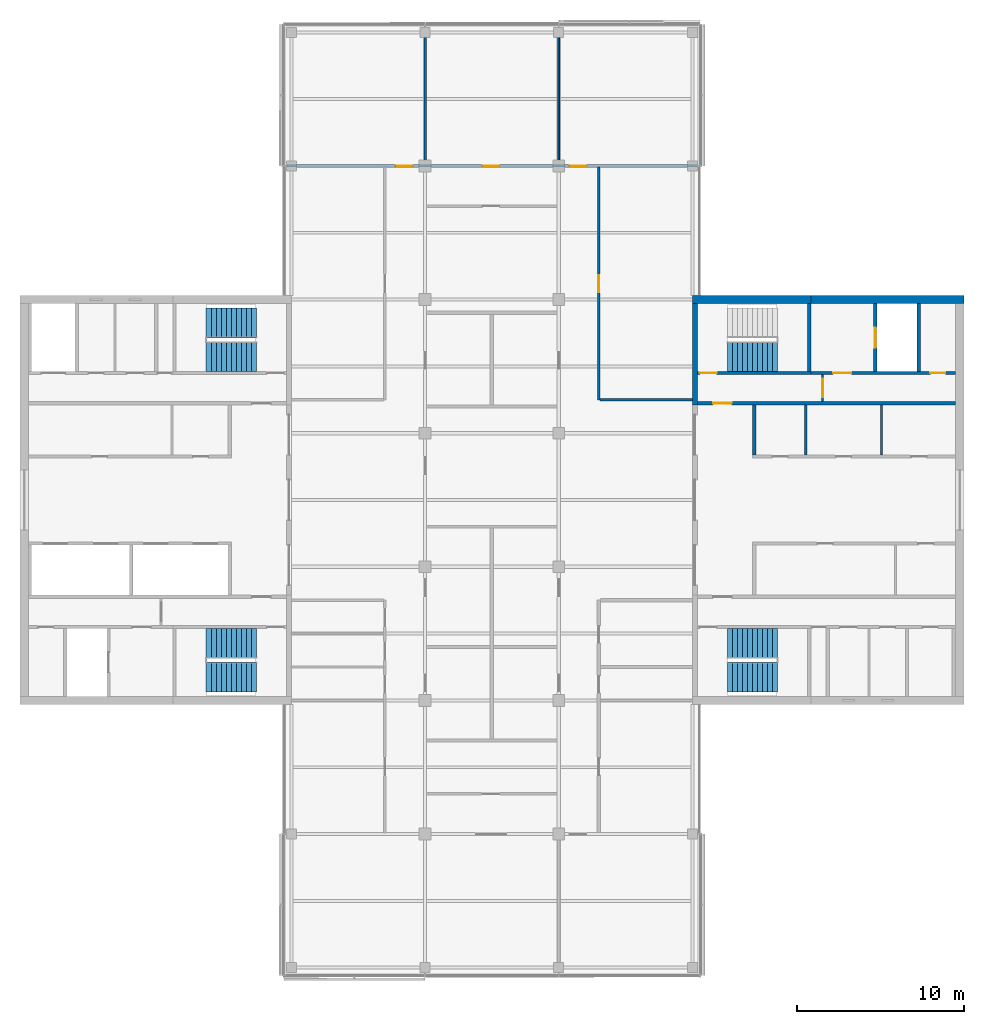
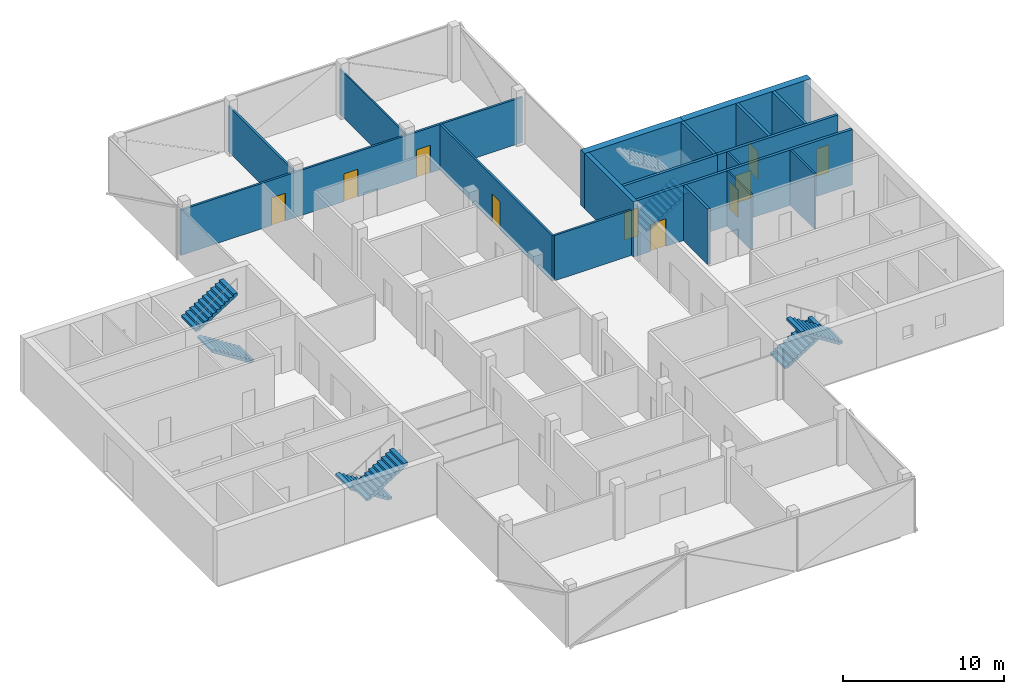
# One storey, part 12 of 16: 18 walls, 10 doors, 7 stair flights, 10 openings, 4 elements without a shape of their own.
"""IFC4 building model written with IfcOpenShell, lengths in metres."""

from ifc_helpers import new_model, si_unit, direction, frame, frame_2d, origin, place, context, subcontext, project, spatial, polyline, rectangle, outline, extrude, material, layer, layer_set, constituent, constituent_set, type_object, element, fill, aggregate, save


model = new_model("IFC4")

# Units and contexts
model_context = context("Model", 3, precision=1e-05, world=origin(), true_north=direction((0.0, 1.0)))
body_context = subcontext(model_context, "Body", "Model", "MODEL_VIEW")
ifc_project = project(units=[si_unit("LENGTHUNIT", "METRE"), si_unit("AREAUNIT", "SQUARE_METRE"), si_unit("VOLUMEUNIT", "CUBIC_METRE"), si_unit("PLANEANGLEUNIT", "RADIAN"), si_unit("MASSUNIT", "GRAM", prefix="KILO")], contexts=[model_context])

# Site, building, storey
site_placement = place(None, origin())
site = spatial("IfcSite", under=ifc_project, at=site_placement, CompositionType="ELEMENT")
building_placement = place(site_placement, origin())
building = spatial("IfcBuilding", under=site, at=building_placement, Name="Crosswind Convention Tower", CompositionType="ELEMENT")
storey_placement = place(building_placement, frame((0.0, 0.0, 282.89990234375)))
storey = spatial("IfcBuildingStorey", under=building, at=storey_placement, Name="L61", CompositionType="ELEMENT", Elevation=282.89990234375)

# Walls
ifc_material_1 = material(Name="Concrete C50/60", Category="concrete")
ifc_layer_1 = layer(ifc_material_1, 0.300048828125)
ifc_layer_set_1 = layer_set([ifc_layer_1], Name="Concrete C50/60")
wall_type_1 = type_object("IfcWallType", Name="Concrete inner core wall 300", PredefinedType="SHEAR", material=ifc_layer_set_1)
wall_1_placement = place(storey_placement, frame((137.14990234375, 105.699951171875, 0.0), z_axis=(0.0, 0.0, 1.0), x_axis=(0.0, 1.0, 0.0)))
element("IfcWall", 1, at=wall_1_placement, inside=storey, type_object=wall_type_1, Name="Wall EP E L61", PredefinedType="SHEAR", context=body_context, shape_type="SweptSolid", body=[
    extrude(rectangle(XDim=6.050048828125, YDim=0.300048828125, at=frame_2d((3.02490234375, 0.0))), origin(), (0.0, 0.0, 1.0), 4.2001953125),
])
ifc_layer_2 = layer(ifc_material_1, 0.199951171875)
ifc_layer_set_2 = layer_set([ifc_layer_2], Name="Concrete C50/60")
wall_type_2 = type_object("IfcWallType", Name="Concrete shaft and stair wall 200", PredefinedType="SHEAR", material=ifc_layer_set_2)
wall_2_placement = place(storey_placement, frame((140.699951171875, 102.699951171875, 0.0), z_axis=(0.0, 0.0, 1.0), x_axis=(0.0, 1.0, 0.0)))
element("IfcWall", 2, at=wall_2_placement, inside=storey, type_object=wall_type_2, Name="Wall RPEND E L61", PredefinedType="SHEAR", context=body_context, shape_type="SweptSolid", body=[
    extrude(rectangle(XDim=3.0, YDim=0.199951171875, at=frame_2d((1.5, 0.0))), origin(), (0.0, 0.0, 1.0), 4.2001953125),
])

# Wall, opening, door
wall_3_placement = place(storey_placement, frame((137.300048828125, 105.800048828125, 0.0), z_axis=(0.0, 0.0, 1.0), x_axis=(1.0, 0.0, 0.0)))
wall_3 = element("IfcWall", 3, at=wall_3_placement, inside=storey, type_object=wall_type_2, Name="Wall HP E L61", PredefinedType="SHEAR", context=body_context, shape_type="SweptSolid", body=[
    extrude(rectangle(XDim=15.449951171875, YDim=0.199951171875, at=frame_2d((7.72509765625, 0.0))), origin(), (0.0, 0.0, 1.0), 4.2001953125),
])
opening_1_placement = place(wall_3_placement, frame((0.949951171875, 0.0, 0.0)))
opening_1 = element("IfcOpeningElement", 4, at=opening_1_placement, cuts=wall_3, Name="Opening D104", PredefinedType="OPENING", context=body_context, shape_type="SweptSolid", body=[
    extrude(rectangle(XDim=1.10009765625, YDim=2.10009765625, at=frame_2d((0.550048828125, 1.050048828125))), frame((0.0, 0.10986328125, 0.0), z_axis=(0.0, -1.0, 0.0), x_axis=(1.0, 0.0, 0.0)), (0.0, 0.0, 1.0), 0.219970703125),
])
ifc_material_2 = material(Name="Steel fire door", Category="steel")
door_type_1 = type_object("IfcDoorType", Name="Fire-rated single door 1100x2100", OperationType="NOTDEFINED", PredefinedType="DOOR", material=ifc_material_2)
door_1_placement = place(opening_1_placement, origin())
door_1 = element("IfcDoor", 5, at=door_1_placement, inside=storey, type_object=door_type_1, Name="Corridor door L61", ObjectType="D104", OperationType="SINGLE_SWING_LEFT", OverallHeight=2.10009765625, OverallWidth=1.10009765625, PredefinedType="DOOR", context=body_context, shape_type="SweptSolid", body=[
    extrude(rectangle(XDim=1.10009765625, YDim=2.10009765625, at=frame_2d((0.550048828125, 1.050048828125))), frame((0.0, 0.02490234375, 0.0), z_axis=(0.0, -1.0, 0.0), x_axis=(1.0, 0.0, 0.0)), (0.0, 0.0, 1.0), 0.050048828125),
])
fill(opening_1, door_1)

# Wall
wall_4_placement = place(storey_placement, frame((144.0, 107.699951171875, 0.0), z_axis=(0.0, 0.0, 1.0), x_axis=(0.0, 1.0, 0.0)))
element("IfcWall", 6, at=wall_4_placement, inside=storey, type_object=wall_type_2, Name="Wall PSE E L61", PredefinedType="SHEAR", context=body_context, shape_type="SweptSolid", body=[
    extrude(rectangle(XDim=4.050048828125, YDim=0.199951171875, at=frame_2d((2.02490234375, 0.0))), origin(), (0.0, 0.0, 1.0), 4.2001953125),
])

# Wall, opening, door
wall_5_placement = place(storey_placement, frame((147.949951171875, 107.699951171875, 0.0), z_axis=(0.0, 0.0, 1.0), x_axis=(0.0, 1.0, 0.0)))
wall_5 = element("IfcWall", 7, at=wall_5_placement, inside=storey, type_object=wall_type_2, Name="Wall PFLW E L61", PredefinedType="SHEAR", context=body_context, shape_type="SweptSolid", body=[
    extrude(rectangle(XDim=4.050048828125, YDim=0.199951171875, at=frame_2d((2.02490234375, 0.0))), origin(), (0.0, 0.0, 1.0), 4.2001953125),
])
opening_2_placement = place(wall_5_placement, frame((1.425048828125, 0.0, 0.0)))
opening_2 = element("IfcOpeningElement", 8, at=opening_2_placement, cuts=wall_5, Name="Opening LD1", PredefinedType="OPENING", context=body_context, shape_type="SweptSolid", body=[
    extrude(rectangle(XDim=1.199951171875, YDim=2.10009765625, at=frame_2d((0.60009765625, 1.050048828125))), frame((0.0, 0.10986328125, 0.0), z_axis=(0.0, -1.0, 0.0), x_axis=(1.0, 0.0, 0.0)), (0.0, 0.0, 1.0), 0.219970703125),
])
ifc_material_3 = material(Name="Stainless steel", Category="steel")
door_type_2 = type_object("IfcDoorType", Name="Lift landing door 1200x2100", OperationType="DOUBLE_DOOR_SLIDING", PredefinedType="DOOR", material=ifc_material_3)
door_2_placement = place(opening_2_placement, origin())
door_2 = element("IfcDoor", 9, at=door_2_placement, inside=storey, type_object=door_type_2, Name="Landing door FF1 L61", ObjectType="LD1", OperationType="DOUBLE_DOOR_SLIDING", OverallHeight=2.10009765625, OverallWidth=1.199951171875, PredefinedType="DOOR", context=body_context, shape_type="SweptSolid", body=[
    extrude(rectangle(XDim=1.199951171875, YDim=2.10009765625, at=frame_2d((0.60009765625, 1.050048828125))), frame((0.0, 0.02490234375, 0.0), z_axis=(0.0, -1.0, 0.0), x_axis=(1.0, 0.0, 0.0)), (0.0, 0.0, 1.0), 0.050048828125),
])
fill(opening_2, door_2)

# Wall
wall_6_placement = place(storey_placement, frame((150.550048828125, 107.699951171875, 0.0), z_axis=(0.0, 0.0, 1.0), x_axis=(0.0, 1.0, 0.0)))
element("IfcWall", 10, at=wall_6_placement, inside=storey, type_object=wall_type_2, Name="Wall PFSE E L61", PredefinedType="SHEAR", context=body_context, shape_type="SweptSolid", body=[
    extrude(rectangle(XDim=4.050048828125, YDim=0.199951171875, at=frame_2d((2.02490234375, 0.0))), origin(), (0.0, 0.0, 1.0), 4.2001953125),
])

# Wall, opening, door
wall_7_placement = place(storey_placement, frame((137.300048828125, 107.60009765625, 0.0), z_axis=(0.0, 0.0, 1.0), x_axis=(1.0, 0.0, 0.0)))
wall_7 = element("IfcWall", 11, at=wall_7_placement, inside=storey, type_object=wall_type_2, Name="Wall PCW E L61", PredefinedType="SHEAR", context=body_context, shape_type="SweptSolid", body=[
    extrude(rectangle(XDim=6.800048828125, YDim=0.199951171875, at=frame_2d((3.39990234375, 0.0))), origin(), (0.0, 0.0, 1.0), 4.2001953125),
])
opening_3_placement = place(wall_7_placement, frame((0.14990234375, 0.0, 0.0)))
opening_3 = element("IfcOpeningElement", 12, at=opening_3_placement, cuts=wall_7, Name="Opening D103", PredefinedType="OPENING", context=body_context, shape_type="SweptSolid", body=[
    extrude(rectangle(XDim=1.0, YDim=2.10009765625, at=frame_2d((0.5, 1.050048828125))), frame((0.0, 0.10986328125, 0.0), z_axis=(0.0, -1.0, 0.0), x_axis=(1.0, 0.0, 0.0)), (0.0, 0.0, 1.0), 0.219970703125),
])
door_type_3 = type_object("IfcDoorType", Name="Fire-rated single door 1000x2100", OperationType="NOTDEFINED", PredefinedType="DOOR", material=ifc_material_2)
door_3_placement = place(opening_3_placement, origin())
door_3 = element("IfcDoor", 13, at=door_3_placement, inside=storey, type_object=door_type_3, Name="Stair ST1 door L61", ObjectType="D103", OperationType="SINGLE_SWING_LEFT", OverallHeight=2.10009765625, OverallWidth=1.0, PredefinedType="DOOR", context=body_context, shape_type="SweptSolid", body=[
    extrude(rectangle(XDim=1.0, YDim=2.10009765625, at=frame_2d((0.5, 1.050048828125))), frame((0.0, 0.02490234375, 0.0), z_axis=(0.0, -1.0, 0.0), x_axis=(1.0, 0.0, 0.0)), (0.0, 0.0, 1.0), 0.050048828125),
])
fill(opening_3, door_3)

# Wall, openings, doors
wall_8_placement = place(storey_placement, frame((144.10009765625, 107.60009765625, 0.0), z_axis=(0.0, 0.0, 1.0), x_axis=(1.0, 0.0, 0.0)))
wall_8 = element("IfcWall", 14, at=wall_8_placement, inside=storey, type_object=wall_type_2, Name="Wall PCX E L61", PredefinedType="SHEAR", context=body_context, shape_type="SweptSolid", body=[
    extrude(rectangle(XDim=8.64990234375, YDim=0.199951171875, at=frame_2d((4.324951171875, 0.0))), origin(), (0.0, 0.0, 1.0), 4.2001953125),
])
opening_4_placement = place(wall_8_placement, frame((1.324951171875, 0.0, 0.0)))
opening_4 = element("IfcOpeningElement", 15, at=opening_4_placement, cuts=wall_8, Name="Opening D104", PredefinedType="OPENING", context=body_context, shape_type="SweptSolid", body=[
    extrude(rectangle(XDim=1.10009765625, YDim=2.10009765625, at=frame_2d((0.550048828125, 1.050048828125))), frame((0.0, 0.10986328125, 0.0), z_axis=(0.0, -1.0, 0.0), x_axis=(1.0, 0.0, 0.0)), (0.0, 0.0, 1.0), 0.219970703125),
])
opening_5_placement = place(wall_8_placement, frame((7.14990234375, 0.0, 0.0)))
opening_5 = element("IfcOpeningElement", 16, at=opening_5_placement, cuts=wall_8, Name="Opening D106", PredefinedType="OPENING", context=body_context, shape_type="SweptSolid", body=[
    extrude(rectangle(XDim=0.89990234375, YDim=2.10009765625, at=frame_2d((0.449951171875, 1.050048828125))), frame((0.0, 0.10986328125, 0.0), z_axis=(0.0, -1.0, 0.0), x_axis=(1.0, 0.0, 0.0)), (0.0, 0.0, 1.0), 0.219970703125),
])
door_4_placement = place(opening_4_placement, origin())
door_4 = element("IfcDoor", 17, at=door_4_placement, inside=storey, type_object=door_type_1, Name="Fire-fighting lobby FF1 door L61", ObjectType="D104", OperationType="SINGLE_SWING_RIGHT", OverallHeight=2.10009765625, OverallWidth=1.10009765625, PredefinedType="DOOR", context=body_context, shape_type="SweptSolid", body=[
    extrude(rectangle(XDim=1.10009765625, YDim=2.10009765625, at=frame_2d((0.550048828125, 1.050048828125))), frame((0.0, 0.02490234375, 0.0), z_axis=(0.0, -1.0, 0.0), x_axis=(1.0, 0.0, 0.0)), (0.0, 0.0, 1.0), 0.050048828125),
])
fill(opening_4, door_4)
ifc_material_4 = material(Name="Timber door", Category="wood")
door_type_4 = type_object("IfcDoorType", Name="Single leaf door 900x2100", OperationType="NOTDEFINED", PredefinedType="DOOR", material=ifc_material_4)
door_5_placement = place(opening_5_placement, origin())
door_5 = element("IfcDoor", 18, at=door_5_placement, inside=storey, type_object=door_type_4, Name="Door to electrical room L61", ObjectType="D106", OperationType="SINGLE_SWING_RIGHT", OverallHeight=2.10009765625, OverallWidth=0.89990234375, PredefinedType="DOOR", context=body_context, shape_type="SweptSolid", body=[
    extrude(rectangle(XDim=0.89990234375, YDim=2.10009765625, at=frame_2d((0.449951171875, 1.050048828125))), frame((0.0, 0.02490234375, 0.0), z_axis=(0.0, -1.0, 0.0), x_axis=(1.0, 0.0, 0.0)), (0.0, 0.0, 1.0), 0.050048828125),
])
fill(opening_5, door_5)

# Walls
ifc_material_5 = material(Name="Gypsum plasterboard partition", Category="gypsum")
ifc_layer_3 = layer(ifc_material_5, 0.125)
ifc_layer_set_3 = layer_set([ifc_layer_3], Name="Drywall partition wall 125")
wall_type_3 = type_object("IfcWallType", Name="Drywall partition wall 125", PredefinedType="PARTITIONING", material=ifc_layer_set_3)
for number, where, z_axis, x_axis, name in (
    (19, (143.78759765625, 102.699951171875, 0.0), (0.0, 0.0, 1.0), (0.0, 1.0, 0.0), "Wall RPP1 E L61"),
    (20, (148.32861328125, 102.699951171875, 0.0), (0.0, 0.0, 1.0), (0.0, 1.0, 0.0), "Wall RPP2 E L61"),
):
    element("IfcWall", number, at=place(storey_placement, frame(where, z_axis=z_axis, x_axis=x_axis)), inside=storey, type_object=wall_type_3, Name=name, PredefinedType="PARTITIONING", context=body_context, shape_type="SweptSolid", body=[
        extrude(rectangle(XDim=3.0, YDim=0.125, at=frame_2d((1.5, 0.0))), origin(), (0.0, 0.0, 1.0), 4.2001953125),
    ])

# Wall, opening, door
wall_9_placement = place(storey_placement, frame((144.800048828125, 105.89990234375, 0.0), z_axis=(0.0, 0.0, 1.0), x_axis=(0.0, 1.0, 0.0)))
wall_9 = element("IfcWall", 21, at=wall_9_placement, inside=storey, type_object=wall_type_3, Name="Wall PXC1 E L61", PredefinedType="PARTITIONING", context=body_context, shape_type="SweptSolid", body=[
    extrude(rectangle(XDim=1.60009765625, YDim=0.125, at=frame_2d((0.800048828125, 0.0))), origin(), (0.0, 0.0, 1.0), 4.2001953125),
])
opening_6_placement = place(wall_9_placement, frame((0.25, 0.0, 0.0)))
opening_6 = element("IfcOpeningElement", 22, at=opening_6_placement, cuts=wall_9, Name="Opening D104", PredefinedType="OPENING", context=body_context, shape_type="SweptSolid", body=[
    extrude(rectangle(XDim=1.10009765625, YDim=2.10009765625, at=frame_2d((0.550048828125, 1.050048828125))), frame((0.0, 0.072509765625, 0.0), z_axis=(0.0, -1.0, 0.0), x_axis=(1.0, 0.0, 0.0)), (0.0, 0.0, 1.0), 0.14501953125),
])
door_6_placement = place(opening_6_placement, origin())
door_6 = element("IfcDoor", 23, at=door_6_placement, inside=storey, type_object=door_type_1, Name="Corridor smoke door L61", ObjectType="D104", OperationType="SINGLE_SWING_RIGHT", OverallHeight=2.10009765625, OverallWidth=1.10009765625, PredefinedType="DOOR", context=body_context, shape_type="SweptSolid", body=[
    extrude(rectangle(XDim=1.10009765625, YDim=2.10009765625, at=frame_2d((0.550048828125, 1.050048828125))), frame((0.0, 0.02490234375, 0.0), z_axis=(0.0, -1.0, 0.0), x_axis=(1.0, 0.0, 0.0)), (0.0, 0.0, 1.0), 0.050048828125),
])
fill(opening_6, door_6)

# Walls
ifc_material_6 = material(Name="Plasterboard partition", Category="gypsum")
ifc_layer_4 = layer(ifc_material_6, 0.10009765625)
ifc_layer_set_4 = layer_set([ifc_layer_4], Name="PARTITION 100 METAL STUD")
wall_type_4 = type_object("IfcWallType", Name="PARTITION 100 METAL STUD", PredefinedType="PARTITIONING", material=ifc_layer_set_4)
wall_10_placement = place(storey_placement, frame((129.0, 120.074951171875, 0.0), z_axis=(0.0, 0.0, 1.0), x_axis=(0.0, 1.0, 0.0)))
element("IfcWall", 24, at=wall_10_placement, inside=storey, type_object=wall_type_4, Name="Partition wall WT40", PredefinedType="PARTITIONING", context=body_context, shape_type="SweptSolid", body=[
    extrude(rectangle(XDim=8.195068359375, YDim=0.10009765625, at=frame_2d((4.09765625, 0.0))), origin(), (0.0, 0.0, 1.0), 3.44287109375),
])
ifc_material_7 = material(Name="Fire-board partition with mineral wool", Category="gypsum")
ifc_layer_5 = layer(ifc_material_7, 0.14990234375)
ifc_layer_set_5 = layer_set([ifc_layer_5], Name="TENANCY WALL 150 TWO-HOUR BOARD")
wall_type_5 = type_object("IfcWallType", Name="TENANCY WALL 150 TWO-HOUR BOARD", PredefinedType="PARTITIONING", material=ifc_layer_set_5)
wall_11_placement = place(storey_placement, frame((121.0, 120.074951171875, 0.0), z_axis=(0.0, 0.0, 1.0), x_axis=(0.0, 1.0, 0.0)))
element("IfcWall", 25, at=wall_11_placement, inside=storey, type_object=wall_type_5, Name="Tenancy wall WT41", PredefinedType="PARTITIONING", context=body_context, shape_type="SweptSolid", body=[
    extrude(rectangle(XDim=8.195068359375, YDim=0.14990234375, at=frame_2d((4.09765625, 0.0))), origin(), (0.0, 0.0, 1.0), 3.44287109375),
])

# Wall, opening, door
wall_12_placement = place(storey_placement, frame((131.39990234375, 106.0, 0.0), z_axis=(0.0, 0.0, 1.0), x_axis=(0.0, 1.0, 0.0)))
wall_12 = element("IfcWall", 26, at=wall_12_placement, inside=storey, type_object=wall_type_5, Name="Tenancy wall WT41", PredefinedType="PARTITIONING", context=body_context, shape_type="SweptSolid", body=[
    extrude(rectangle(XDim=13.925048828125, YDim=0.14990234375, at=frame_2d((6.96240234375, 0.0))), origin(), (0.0, 0.0, 1.0), 3.44287109375),
])
opening_7_placement = place(wall_12_placement, frame((6.449951171875, 0.0, 0.0)))
opening_7 = element("IfcOpeningElement", 27, at=opening_7_placement, cuts=wall_12, Name="Opening L61-50", PredefinedType="OPENING", context=body_context, shape_type="SweptSolid", body=[
    extrude(rectangle(XDim=1.0, YDim=2.10009765625, at=frame_2d((0.5, 1.050048828125))), frame((0.0, 0.0849609375, 0.0), z_axis=(0.0, -1.0, 0.0), x_axis=(1.0, 0.0, 0.0)), (0.0, 0.0, 1.0), 0.169921875),
])
ifc_material_8 = material(Name="Timber fire door", Category="wood")
door_type_5 = type_object("IfcDoorType", Name="TENANCY ENTRANCE DOOR 1000X2100 FD30S", OperationType="NOTDEFINED", PredefinedType="DOOR", material=ifc_material_8)
door_7_placement = place(opening_7_placement, frame((1.0, 0.0, 0.0), z_axis=(0.0, 0.0, 1.0), x_axis=(-1.0, 0.0, 0.0)))
door_7 = element("IfcDoor", 28, at=door_7_placement, inside=storey, type_object=door_type_5, Name="Door L61-50", ObjectType="D41", OperationType="SINGLE_SWING_LEFT", OverallHeight=2.10009765625, OverallWidth=1.0, PredefinedType="DOOR", context=body_context, shape_type="SweptSolid", body=[
    extrude(rectangle(XDim=1.0, YDim=2.10009765625, at=frame_2d((0.5, 1.050048828125))), frame((0.0, 0.02490234375, 0.0), z_axis=(0.0, -1.0, 0.0), x_axis=(1.0, 0.0, 0.0)), (0.0, 0.0, 1.0), 0.050048828125),
])
fill(opening_7, door_7)

# Wall
wall_13_placement = place(storey_placement, frame((131.47509765625, 106.0, 0.0), z_axis=(0.0, 0.0, 1.0), x_axis=(1.0, 0.0, 0.0)))
element("IfcWall", 29, at=wall_13_placement, inside=storey, type_object=wall_type_5, Name="Tenancy wall WT41", PredefinedType="PARTITIONING", context=body_context, shape_type="SweptSolid", body=[
    extrude(rectangle(XDim=5.52490234375, YDim=0.14990234375, at=frame_2d((2.762451171875, 0.0))), origin(), (0.0, 0.0, 1.0), 3.44287109375),
])

# Wall, openings, doors
wall_14_placement = place(storey_placement, frame((112.72998046875, 120.0, 0.0), z_axis=(0.0, 0.0, 1.0), x_axis=(1.0, 0.0, 0.0)))
wall_14 = element("IfcWall", 30, at=wall_14_placement, inside=storey, type_object=wall_type_5, Name="Tenancy wall WT41", PredefinedType="PARTITIONING", context=body_context, shape_type="SweptSolid", body=[
    extrude(rectangle(XDim=24.5400390625, YDim=0.14990234375, at=frame_2d((12.27001953125, 0.0))), origin(), (0.0, 0.0, 1.0), 3.44287109375),
])
opening_8_placement = place(wall_14_placement, frame((6.52001953125, 0.0, 0.0)))
opening_8 = element("IfcOpeningElement", 31, at=opening_8_placement, cuts=wall_14, Name="Opening L61-59", PredefinedType="OPENING", context=body_context, shape_type="SweptSolid", body=[
    extrude(rectangle(XDim=1.0, YDim=2.10009765625, at=frame_2d((0.5, 1.050048828125))), frame((0.0, 0.0849609375, 0.0), z_axis=(0.0, -1.0, 0.0), x_axis=(1.0, 0.0, 0.0)), (0.0, 0.0, 1.0), 0.169921875),
])
opening_9_placement = place(wall_14_placement, frame((11.719970703125, 0.0, 0.0)))
opening_9 = element("IfcOpeningElement", 32, at=opening_9_placement, cuts=wall_14, Name="Opening L61-60", PredefinedType="OPENING", context=body_context, shape_type="SweptSolid", body=[
    extrude(rectangle(XDim=1.0, YDim=2.10009765625, at=frame_2d((0.5, 1.050048828125))), frame((0.0, 0.0849609375, 0.0), z_axis=(0.0, -1.0, 0.0), x_axis=(1.0, 0.0, 0.0)), (0.0, 0.0, 1.0), 0.169921875),
])
opening_10_placement = place(wall_14_placement, frame((16.919921875, 0.0, 0.0)))
opening_10 = element("IfcOpeningElement", 33, at=opening_10_placement, cuts=wall_14, Name="Opening L61-61", PredefinedType="OPENING", context=body_context, shape_type="SweptSolid", body=[
    extrude(rectangle(XDim=1.0, YDim=2.10009765625, at=frame_2d((0.5, 1.050048828125))), frame((0.0, 0.0849609375, 0.0), z_axis=(0.0, -1.0, 0.0), x_axis=(1.0, 0.0, 0.0)), (0.0, 0.0, 1.0), 0.169921875),
])
door_8_placement = place(opening_8_placement, origin())
door_8 = element("IfcDoor", 34, at=door_8_placement, inside=storey, type_object=door_type_5, Name="Door L61-59", ObjectType="D41", OperationType="SINGLE_SWING_RIGHT", OverallHeight=2.10009765625, OverallWidth=1.0, PredefinedType="DOOR", context=body_context, shape_type="SweptSolid", body=[
    extrude(rectangle(XDim=1.0, YDim=2.10009765625, at=frame_2d((0.5, 1.050048828125))), frame((0.0, 0.02490234375, 0.0), z_axis=(0.0, -1.0, 0.0), x_axis=(1.0, 0.0, 0.0)), (0.0, 0.0, 1.0), 0.050048828125),
])
fill(opening_8, door_8)
door_9_placement = place(opening_9_placement, origin())
door_9 = element("IfcDoor", 35, at=door_9_placement, inside=storey, type_object=door_type_5, Name="Door L61-60", ObjectType="D41", OperationType="SINGLE_SWING_LEFT", OverallHeight=2.10009765625, OverallWidth=1.0, PredefinedType="DOOR", context=body_context, shape_type="SweptSolid", body=[
    extrude(rectangle(XDim=1.0, YDim=2.10009765625, at=frame_2d((0.5, 1.050048828125))), frame((0.0, 0.02490234375, 0.0), z_axis=(0.0, -1.0, 0.0), x_axis=(1.0, 0.0, 0.0)), (0.0, 0.0, 1.0), 0.050048828125),
])
fill(opening_9, door_9)
door_10_placement = place(opening_10_placement, origin())
door_10 = element("IfcDoor", 36, at=door_10_placement, inside=storey, type_object=door_type_5, Name="Door L61-61", ObjectType="D41", OperationType="SINGLE_SWING_LEFT", OverallHeight=2.10009765625, OverallWidth=1.0, PredefinedType="DOOR", context=body_context, shape_type="SweptSolid", body=[
    extrude(rectangle(XDim=1.0, YDim=2.10009765625, at=frame_2d((0.5, 1.050048828125))), frame((0.0, 0.02490234375, 0.0), z_axis=(0.0, -1.0, 0.0), x_axis=(1.0, 0.0, 0.0)), (0.0, 0.0, 1.0), 0.050048828125),
])
fill(opening_10, door_10)

# Walls
ifc_material_9 = material(Name="Concrete C60/75", Category="concrete")
ifc_constituent_1 = constituent(ifc_material_9, Name="Structure")
ifc_material_10 = material(Name="Terracotta rainscreen", Category="ceramic")
ifc_constituent_2 = constituent(ifc_material_10, Name="Facing")
ifc_constituent_set = constituent_set(constituents=[ifc_constituent_1, ifc_constituent_2], Name="Concrete C60/75, Terracotta rainscreen")
wall_type_6 = type_object("IfcWallType", Name="Terracotta rainscreen on concrete core wall 500", PredefinedType="SHEAR", material=ifc_constituent_set)
wall_15_placement = place(storey_placement, frame((137.0, 112.0, 0.0), z_axis=(0.0, 0.0, 1.0), x_axis=(1.0, 0.0, 0.0)))
element("IfcWall", 37, at=wall_15_placement, inside=storey, type_object=wall_type_6, Name="Wall N1 E L61", PredefinedType="SHEAR", context=body_context, shape_type="SweptSolid", body=[
    extrude(rectangle(XDim=7.10009765625, YDim=0.5, at=frame_2d((3.550048828125, 0.0))), origin(), (0.0, 0.0, 1.0), 4.2001953125),
])
wall_16_placement = place(storey_placement, frame((144.10009765625, 112.0, 0.0), z_axis=(0.0, 0.0, 1.0), x_axis=(1.0, 0.0, 0.0)))
element("IfcWall", 38, at=wall_16_placement, inside=storey, type_object=wall_type_6, Name="Wall N2 E L61", PredefinedType="SHEAR", context=body_context, shape_type="SweptSolid", body=[
    extrude(rectangle(XDim=9.14990234375, YDim=0.5, at=frame_2d((4.574951171875, 0.0))), origin(), (0.0, 0.0, 1.0), 4.2001953125),
])

# Stair, stair flight
ifc_material_11 = material(Name="Concrete C40/50", Category="concrete")
stair_type = type_object("IfcStairType", Name="Exit stair 1800 wide, 2 flights of 11 risers", PredefinedType="HALF_TURN_STAIR", material=ifc_material_11)
stair_1_placement = place(storey_placement, origin())
stair_1 = element("IfcStair", 39, at=stair_1_placement, inside=storey, type_object=stair_type, Name="Exit stair ST1 L61", ObjectType="ST5", PredefinedType="HALF_TURN_STAIR")
stair_flight_type = type_object("IfcStairFlightType", Name="Stair flight 1800 wide, 11 risers (SF4)", PredefinedType="STRAIGHT", material=ifc_material_11)
stair_flight_1_placement = place(storey_placement, frame((139.10009765625, 108.60009765625, 0.0), z_axis=(0.0, 0.0, 1.0), x_axis=(1.0, 0.0, 0.0)))
stair_flight_1 = element("IfcStairFlight", 40, at=stair_flight_1_placement, type_object=stair_flight_type, Name="ST1 flight 1", NumberOfRisers=11, NumberOfTreads=10, PredefinedType="STRAIGHT", RiserHeight=0.190909091, TreadLength=0.3, context=body_context, shape_type="SweptSolid", body=[
    extrude(outline(polyline([(0.0, 0.0), (0.0, 0.19091796875), (0.300048828125, 0.19091796875), (0.300048828125, 0.3818359375), (0.60009765625, 0.3818359375), (0.60009765625, 0.57275390625), (0.89990234375, 0.57275390625), (0.89990234375, 0.763671875), (1.199951171875, 0.763671875), (1.199951171875, 0.95458984375), (1.5, 0.95458984375), (1.5, 1.1455078125), (1.800048828125, 1.1455078125), (1.800048828125, 1.33642578125), (2.10009765625, 1.33642578125), (2.10009765625, 1.52734375), (2.39990234375, 1.52734375), (2.39990234375, 1.71826171875), (2.699951171875, 1.71826171875), (2.699951171875, 1.9091796875), (3.0, 1.9091796875), (3.0, 2.10009765625), (3.0, 1.7314453125), (0.279296875, 0.0), (0.0, 0.0)])), frame((0.0, 0.89990234375, 0.0), z_axis=(0.0, -1.0, 0.0), x_axis=(1.0, 0.0, 0.0)), (0.0, 0.0, 1.0), 1.800048828125),
])
aggregate(stair_1, [stair_flight_1])

# Stair, stair flights
stair_2_placement = place(storey_placement, origin())
stair_2 = element("IfcStair", 41, at=stair_2_placement, inside=storey, type_object=stair_type, Name="Exit stair ST2 L61", ObjectType="ST5", PredefinedType="HALF_TURN_STAIR")
stair_flight_2_placement = place(storey_placement, frame((139.10009765625, 91.39990234375, 0.0), z_axis=(0.0, 0.0, 1.0), x_axis=(1.0, 0.0, 0.0)))
stair_flight_2 = element("IfcStairFlight", 42, at=stair_flight_2_placement, type_object=stair_flight_type, Name="ST2 flight 1", NumberOfRisers=11, NumberOfTreads=10, PredefinedType="STRAIGHT", RiserHeight=0.190909091, TreadLength=0.3, context=body_context, shape_type="SweptSolid", body=[
    extrude(outline(polyline([(0.0, 0.0), (0.0, 0.19091796875), (0.300048828125, 0.19091796875), (0.300048828125, 0.3818359375), (0.60009765625, 0.3818359375), (0.60009765625, 0.57275390625), (0.89990234375, 0.57275390625), (0.89990234375, 0.763671875), (1.199951171875, 0.763671875), (1.199951171875, 0.95458984375), (1.5, 0.95458984375), (1.5, 1.1455078125), (1.800048828125, 1.1455078125), (1.800048828125, 1.33642578125), (2.10009765625, 1.33642578125), (2.10009765625, 1.52734375), (2.39990234375, 1.52734375), (2.39990234375, 1.71826171875), (2.699951171875, 1.71826171875), (2.699951171875, 1.9091796875), (3.0, 1.9091796875), (3.0, 2.10009765625), (3.0, 1.7314453125), (0.279296875, 0.0), (0.0, 0.0)])), frame((0.0, 0.89990234375, 0.0), z_axis=(0.0, -1.0, 0.0), x_axis=(1.0, 0.0, 0.0)), (0.0, 0.0, 1.0), 1.800048828125),
])
stair_flight_3_placement = place(storey_placement, frame((142.10009765625, 89.39990234375, 2.10009765625), z_axis=(0.0, 0.0, 1.0), x_axis=(-1.0, 0.0, 0.0)))
stair_flight_3 = element("IfcStairFlight", 43, at=stair_flight_3_placement, type_object=stair_flight_type, Name="ST2 flight 2", NumberOfRisers=11, NumberOfTreads=10, PredefinedType="STRAIGHT", RiserHeight=0.190909091, TreadLength=0.3, context=body_context, shape_type="SweptSolid", body=[
    extrude(outline(polyline([(0.0, 0.0), (0.0, 0.19091796875), (0.300048828125, 0.19091796875), (0.300048828125, 0.3818359375), (0.60009765625, 0.3818359375), (0.60009765625, 0.57275390625), (0.89990234375, 0.57275390625), (0.89990234375, 0.763671875), (1.199951171875, 0.763671875), (1.199951171875, 0.95458984375), (1.5, 0.95458984375), (1.5, 1.1455078125), (1.800048828125, 1.1455078125), (1.800048828125, 1.33642578125), (2.10009765625, 1.33642578125), (2.10009765625, 1.52734375), (2.39990234375, 1.52734375), (2.39990234375, 1.71826171875), (2.699951171875, 1.71826171875), (2.699951171875, 1.9091796875), (3.0, 1.9091796875), (3.0, 2.10009765625), (3.0, 1.7314453125), (0.279296875, 0.0), (0.0, 0.0)])), frame((0.0, 0.89990234375, 0.0), z_axis=(0.0, -1.0, 0.0), x_axis=(1.0, 0.0, 0.0)), (0.0, 0.0, 1.0), 1.800048828125),
])
aggregate(stair_2, [stair_flight_2, stair_flight_3])

stair_3_placement = place(storey_placement, origin())
stair_3 = element("IfcStair", 44, at=stair_3_placement, inside=storey, type_object=stair_type, Name="Exit stair ST3 L61", ObjectType="ST5", PredefinedType="HALF_TURN_STAIR")
stair_flight_4_placement = place(storey_placement, frame((110.89990234375, 91.39990234375, 0.0), z_axis=(0.0, 0.0, 1.0), x_axis=(-1.0, 0.0, 0.0)))
stair_flight_4 = element("IfcStairFlight", 45, at=stair_flight_4_placement, type_object=stair_flight_type, Name="ST3 flight 1", NumberOfRisers=11, NumberOfTreads=10, PredefinedType="STRAIGHT", RiserHeight=0.190909091, TreadLength=0.3, context=body_context, shape_type="SweptSolid", body=[
    extrude(outline(polyline([(0.0, 0.0), (0.0, 0.19091796875), (0.300048828125, 0.19091796875), (0.300048828125, 0.3818359375), (0.60009765625, 0.3818359375), (0.60009765625, 0.57275390625), (0.89990234375, 0.57275390625), (0.89990234375, 0.763671875), (1.199951171875, 0.763671875), (1.199951171875, 0.95458984375), (1.5, 0.95458984375), (1.5, 1.1455078125), (1.800048828125, 1.1455078125), (1.800048828125, 1.33642578125), (2.10009765625, 1.33642578125), (2.10009765625, 1.52734375), (2.39990234375, 1.52734375), (2.39990234375, 1.71826171875), (2.699951171875, 1.71826171875), (2.699951171875, 1.9091796875), (3.0, 1.9091796875), (3.0, 2.10009765625), (3.0, 1.7314453125), (0.279296875, 0.0), (0.0, 0.0)])), frame((0.0, 0.89990234375, 0.0), z_axis=(0.0, -1.0, 0.0), x_axis=(1.0, 0.0, 0.0)), (0.0, 0.0, 1.0), 1.800048828125),
])
stair_flight_5_placement = place(storey_placement, frame((107.89990234375, 89.39990234375, 2.10009765625), z_axis=(0.0, 0.0, 1.0), x_axis=(1.0, 0.0, 0.0)))
stair_flight_5 = element("IfcStairFlight", 46, at=stair_flight_5_placement, type_object=stair_flight_type, Name="ST3 flight 2", NumberOfRisers=11, NumberOfTreads=10, PredefinedType="STRAIGHT", RiserHeight=0.190909091, TreadLength=0.3, context=body_context, shape_type="SweptSolid", body=[
    extrude(outline(polyline([(0.0, 0.0), (0.0, 0.19091796875), (0.300048828125, 0.19091796875), (0.300048828125, 0.3818359375), (0.60009765625, 0.3818359375), (0.60009765625, 0.57275390625), (0.89990234375, 0.57275390625), (0.89990234375, 0.763671875), (1.199951171875, 0.763671875), (1.199951171875, 0.95458984375), (1.5, 0.95458984375), (1.5, 1.1455078125), (1.800048828125, 1.1455078125), (1.800048828125, 1.33642578125), (2.10009765625, 1.33642578125), (2.10009765625, 1.52734375), (2.39990234375, 1.52734375), (2.39990234375, 1.71826171875), (2.699951171875, 1.71826171875), (2.699951171875, 1.9091796875), (3.0, 1.9091796875), (3.0, 2.10009765625), (3.0, 1.7314453125), (0.279296875, 0.0), (0.0, 0.0)])), frame((0.0, 0.89990234375, 0.0), z_axis=(0.0, -1.0, 0.0), x_axis=(1.0, 0.0, 0.0)), (0.0, 0.0, 1.0), 1.800048828125),
])
aggregate(stair_3, [stair_flight_4, stair_flight_5])

stair_4_placement = place(storey_placement, origin())
stair_4 = element("IfcStair", 47, at=stair_4_placement, inside=storey, type_object=stair_type, Name="Exit stair ST4 L61", ObjectType="ST5", PredefinedType="HALF_TURN_STAIR")
stair_flight_6_placement = place(storey_placement, frame((110.89990234375, 108.60009765625, 0.0), z_axis=(0.0, 0.0, 1.0), x_axis=(-1.0, 0.0, 0.0)))
stair_flight_6 = element("IfcStairFlight", 48, at=stair_flight_6_placement, type_object=stair_flight_type, Name="ST4 flight 1", NumberOfRisers=11, NumberOfTreads=10, PredefinedType="STRAIGHT", RiserHeight=0.190909091, TreadLength=0.3, context=body_context, shape_type="SweptSolid", body=[
    extrude(outline(polyline([(0.0, 0.0), (0.0, 0.19091796875), (0.300048828125, 0.19091796875), (0.300048828125, 0.3818359375), (0.60009765625, 0.3818359375), (0.60009765625, 0.57275390625), (0.89990234375, 0.57275390625), (0.89990234375, 0.763671875), (1.199951171875, 0.763671875), (1.199951171875, 0.95458984375), (1.5, 0.95458984375), (1.5, 1.1455078125), (1.800048828125, 1.1455078125), (1.800048828125, 1.33642578125), (2.10009765625, 1.33642578125), (2.10009765625, 1.52734375), (2.39990234375, 1.52734375), (2.39990234375, 1.71826171875), (2.699951171875, 1.71826171875), (2.699951171875, 1.9091796875), (3.0, 1.9091796875), (3.0, 2.10009765625), (3.0, 1.7314453125), (0.279296875, 0.0), (0.0, 0.0)])), frame((0.0, 0.89990234375, 0.0), z_axis=(0.0, -1.0, 0.0), x_axis=(1.0, 0.0, 0.0)), (0.0, 0.0, 1.0), 1.800048828125),
])
stair_flight_7_placement = place(storey_placement, frame((107.89990234375, 110.60009765625, 2.10009765625), z_axis=(0.0, 0.0, 1.0), x_axis=(1.0, 0.0, 0.0)))
stair_flight_7 = element("IfcStairFlight", 49, at=stair_flight_7_placement, type_object=stair_flight_type, Name="ST4 flight 2", NumberOfRisers=11, NumberOfTreads=10, PredefinedType="STRAIGHT", RiserHeight=0.190909091, TreadLength=0.3, context=body_context, shape_type="SweptSolid", body=[
    extrude(outline(polyline([(0.0, 0.0), (0.0, 0.19091796875), (0.300048828125, 0.19091796875), (0.300048828125, 0.3818359375), (0.60009765625, 0.3818359375), (0.60009765625, 0.57275390625), (0.89990234375, 0.57275390625), (0.89990234375, 0.763671875), (1.199951171875, 0.763671875), (1.199951171875, 0.95458984375), (1.5, 0.95458984375), (1.5, 1.1455078125), (1.800048828125, 1.1455078125), (1.800048828125, 1.33642578125), (2.10009765625, 1.33642578125), (2.10009765625, 1.52734375), (2.39990234375, 1.52734375), (2.39990234375, 1.71826171875), (2.699951171875, 1.71826171875), (2.699951171875, 1.9091796875), (3.0, 1.9091796875), (3.0, 2.10009765625), (3.0, 1.7314453125), (0.279296875, 0.0), (0.0, 0.0)])), frame((0.0, 0.89990234375, 0.0), z_axis=(0.0, -1.0, 0.0), x_axis=(1.0, 0.0, 0.0)), (0.0, 0.0, 1.0), 1.800048828125),
])
aggregate(stair_4, [stair_flight_6, stair_flight_7])

save(model, "model.ifc")
